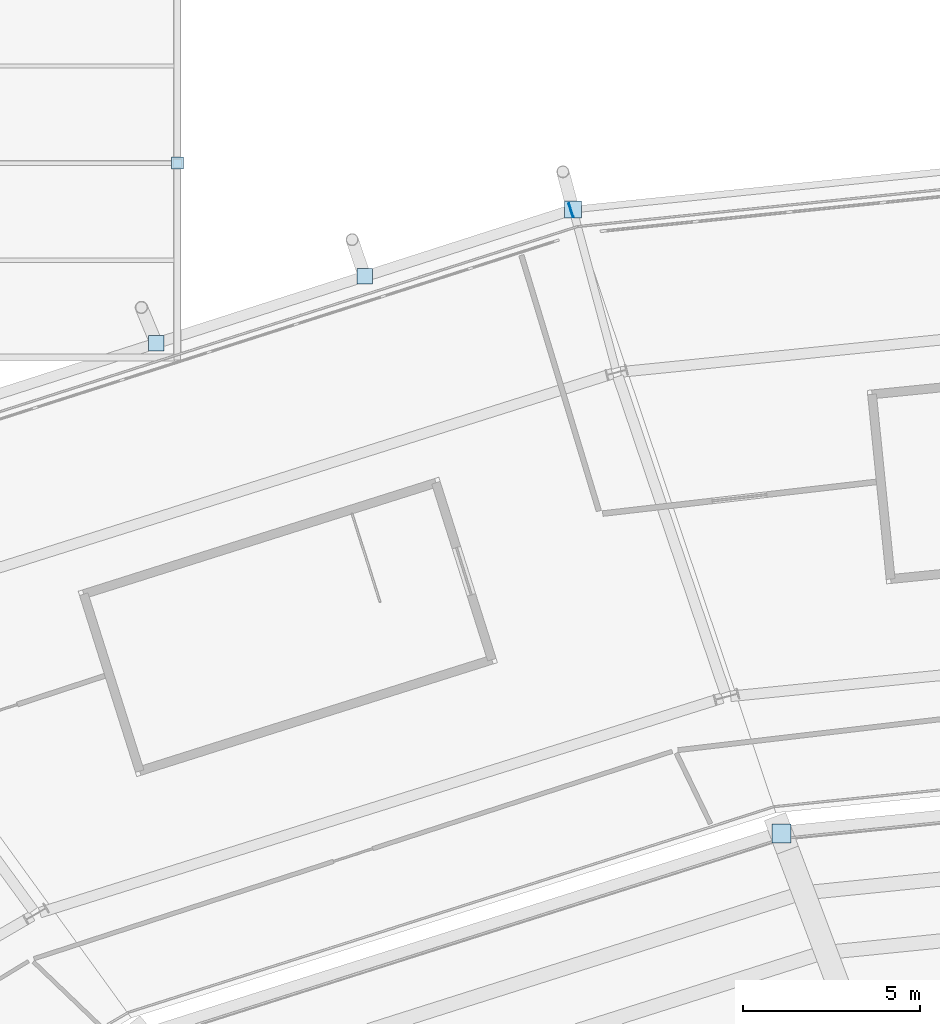
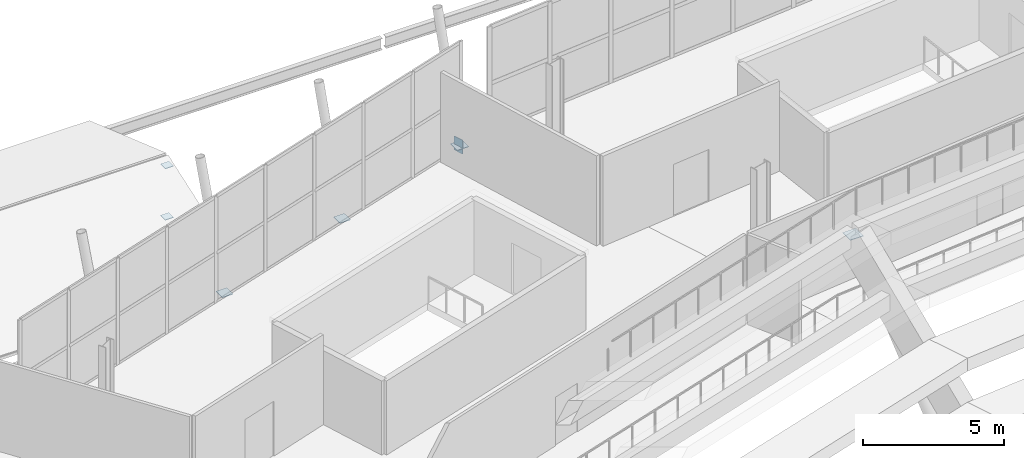
# One storey, part 90 of 126: 7 plates.
"""IFC4 building model written with IfcOpenShell, lengths in metres."""

from ifc_helpers import new_model, si_unit, direction, frame, origin, origin_2d, place, context, subcontext, project, spatial, rectangle, extrude, material, layer, layer_set, type_object, element, save


model = new_model("IFC4")

# Units and contexts
model_context = context("Model", 3, precision=1e-05, world=origin(), true_north=direction((0.0, 1.0)))
body_context = subcontext(model_context, "Body", "Model", "MODEL_VIEW")
ifc_project = project(units=[si_unit("LENGTHUNIT", "METRE"), si_unit("AREAUNIT", "SQUARE_METRE"), si_unit("VOLUMEUNIT", "CUBIC_METRE"), si_unit("PLANEANGLEUNIT", "RADIAN"), si_unit("MASSUNIT", "GRAM", prefix="KILO")], contexts=[model_context])

# Site, building, storey
site_placement = place(None, origin())
site = spatial("IfcSite", under=ifc_project, at=site_placement, CompositionType="ELEMENT")
building_placement = place(site_placement, origin())
building = spatial("IfcBuilding", under=site, at=building_placement, Name="Zlatoyarsky Gate Stadium", CompositionType="ELEMENT")
storey_placement = place(building_placement, frame((0.0, 0.0, 20.800048828125)))
storey = spatial("IfcBuildingStorey", under=building, at=storey_placement, Name="L04", CompositionType="ELEMENT", Elevation=20.800048828125)

# Plates
ifc_material = material(Name="Steel S355", Category="steel")
ifc_layer = layer(ifc_material, 0.02392578125)
ifc_layer_set = layer_set([ifc_layer], Name="Steel S355")
plate_type = type_object("IfcPlateType", Name="STEEL HOLLOW CHORD SPLICE SHEET 24", PredefinedType="SHEET", material=ifc_layer_set)
plate_1_placement = place(storey_placement, frame((85.63818359375, 153.16943359375, -0.85009765625), z_axis=(0.0, 0.0, 1.0), x_axis=(-0.952145539472, -0.305645009225, 0.0)))
element("IfcPlate", 1, at=plate_1_placement, inside=storey, type_object=plate_type, Name="Hollow end cap ND-SP1 CAP-L04-SPD-07 A", PredefinedType="SHEET", context=body_context, shape_type="SweptSolid", body=[
    extrude(rectangle(XDim=0.02392578125, YDim=0.39990234375, at=origin_2d()), origin(), (0.0, 0.0, 1.0), 0.60009765625),
])
plate_2_placement = place(storey_placement, frame((85.6953125, 153.187744140625, -0.612060546875), z_axis=(0.0, 0.0, 1.0), x_axis=(1.0, 0.0, 0.0)))
element("IfcPlate", 2, at=plate_2_placement, inside=storey, type_object=plate_type, Name="Node closure plate ND-SP1 NCAP-L04-RSTR-07", PredefinedType="SHEET", context=body_context, shape_type="SweptSolid", body=[
    extrude(rectangle(XDim=0.47998046875, YDim=0.47998046875, at=origin_2d()), origin(), (0.0, 0.0, 1.0), 0.02392578125),
])
plate_3_placement = place(storey_placement, frame((91.588623046875, 135.540771484375, 4.177978515625), z_axis=(0.0, 0.0, 1.0), x_axis=(1.0, 0.0, 0.0)))
element("IfcPlate", 3, at=plate_3_placement, inside=storey, type_object=plate_type, Name="Node closure plate ND-SP1 NCAP-UTOP-07", PredefinedType="SHEET", context=body_context, shape_type="SweptSolid", body=[
    extrude(rectangle(XDim=0.5400390625, YDim=0.5400390625, at=origin_2d()), origin(), (0.0, 0.0, 1.0), 0.02392578125),
])
for number, where, z_axis, x_axis, name in (
    (4, (79.80029296875, 151.29541015625, -0.56201171875), (0.0, 0.0, 1.0), (1.0, 0.0, 0.0), "Node closure plate ND-SP1 NCAP-RIB-07-1-3B"),
    (5, (73.9052734375, 149.403076171875, -0.56201171875), (0.0, 0.0, 1.0), (1.0, 0.0, 0.0), "Node closure plate ND-SP1 NCAP-RIB-07-2-2T"),
):
    element("IfcPlate", number, at=place(storey_placement, frame(where, z_axis=z_axis, x_axis=x_axis)), inside=storey, type_object=plate_type, Name=name, PredefinedType="SHEET", context=body_context, shape_type="SweptSolid", body=[
        extrude(rectangle(XDim=0.43994140625, YDim=0.43994140625, at=origin_2d()), origin(), (0.0, 0.0, 1.0), 0.02392578125),
    ])
for number, where, z_axis, x_axis, name in (
    (6, (74.5, 154.5, -0.56201171875), (0.0, 0.0, 1.0), (1.0, 0.0, 0.0), "Node closure plate ND-SP1 NCAP-KP-V2_NORTH_W-2A"),
    (7, (74.5, 154.5, 1.657958984375), (0.0, 0.0, 1.0), (1.0, 0.0, 0.0), "Node closure plate ND-SP1 NCAP-KP-V2_NORTH_W-2B"),
):
    element("IfcPlate", number, at=place(storey_placement, frame(where, z_axis=z_axis, x_axis=x_axis)), inside=storey, type_object=plate_type, Name=name, PredefinedType="SHEET", context=body_context, shape_type="SweptSolid", body=[
        extrude(rectangle(XDim=0.340087890625, YDim=0.340087890625, at=origin_2d()), origin(), (0.0, 0.0, 1.0), 0.02392578125),
    ])

save(model, "model.ifc")
